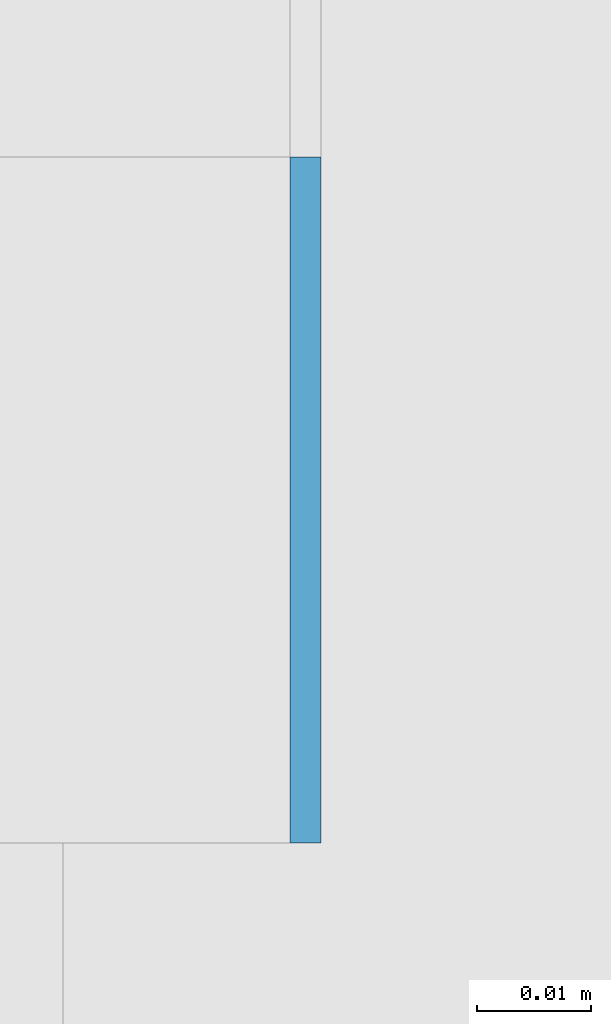
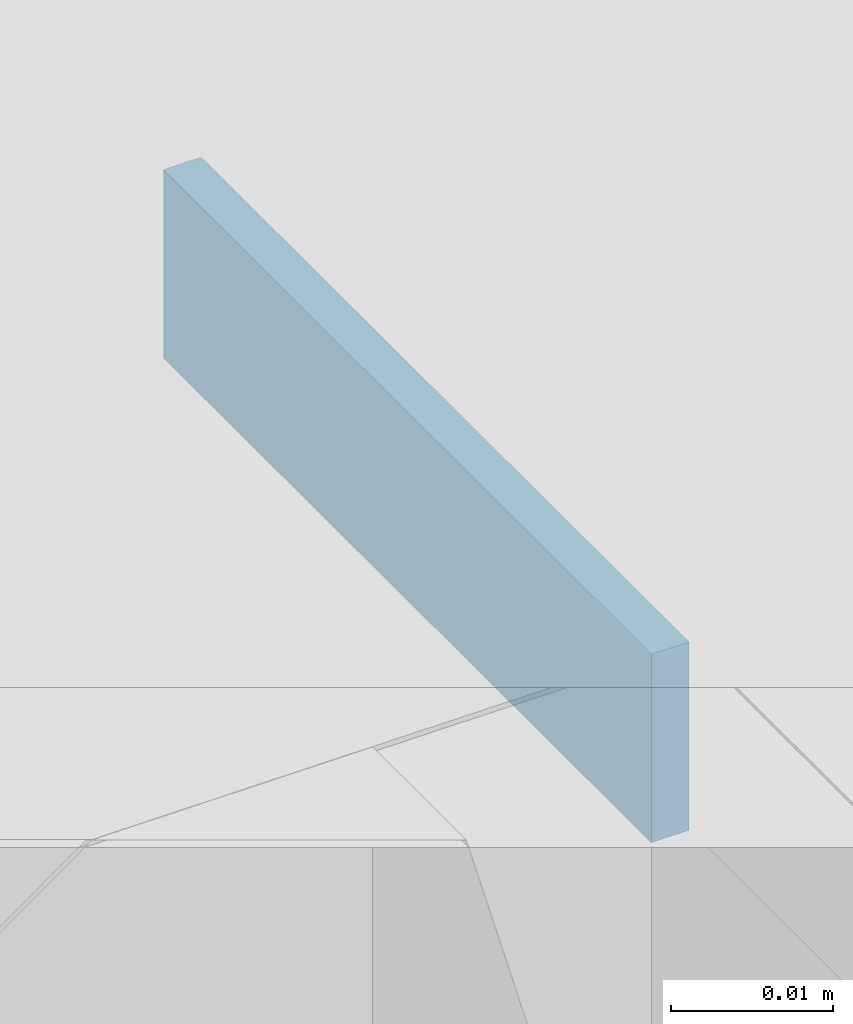
# One storey, part 347 of 646: 1 discrete accessory.
"""IFC4 building model written with IfcOpenShell, lengths in metres."""

from ifc_helpers import new_model, si_unit, direction, frame, origin, origin_2d, place, context, subcontext, project, spatial, rectangle, extrude, material, type_object, element, save


model = new_model("IFC4")

# Units and contexts
model_context = context("Model", 3, precision=1e-05, world=origin(), true_north=direction((0.0, 1.0)))
body_context = subcontext(model_context, "Body", "Model", "MODEL_VIEW")
ifc_project = project(units=[si_unit("LENGTHUNIT", "METRE"), si_unit("AREAUNIT", "SQUARE_METRE"), si_unit("VOLUMEUNIT", "CUBIC_METRE"), si_unit("PLANEANGLEUNIT", "RADIAN"), si_unit("MASSUNIT", "GRAM", prefix="KILO")], contexts=[model_context])

# Site, building, storey
site_placement = place(None, origin())
site = spatial("IfcSite", under=ifc_project, at=site_placement, CompositionType="ELEMENT")
building_placement = place(site_placement, origin())
building = spatial("IfcBuilding", under=site, at=building_placement, Name="Silverbay Arena", CompositionType="ELEMENT")
storey_placement = place(building_placement, frame((0.0, 0.0, 33.5)))
storey = spatial("IfcBuildingStorey", under=building, at=storey_placement, Name="L05", CompositionType="ELEMENT", Elevation=33.5)

# Discrete accessory
ifc_material = material(Name="Steel S355", Category="steel")
discrete_accessory_type = type_object("IfcDiscreteAccessoryType", Name="Steel bracket plate", PredefinedType="BRACKET", material=ifc_material)
discrete_accessory_placement = place(storey_placement, frame((53.871337890625, 89.969970703125, 12.98583984375), z_axis=(0.0, 0.0, 1.0), x_axis=(1.0, 0.0, 0.0)))
element("IfcDiscreteAccessory", 1, at=discrete_accessory_placement, inside=storey, type_object=discrete_accessory_type, Name="Curtain wall packing plate", PredefinedType="BRACKET", context=body_context, shape_type="SweptSolid", body=[
    extrude(rectangle(XDim=0.002685546875, YDim=0.06005859375, at=origin_2d()), origin(), (0.0, 0.0, 1.0), 0.01416015625),
])

save(model, "model.ifc")
